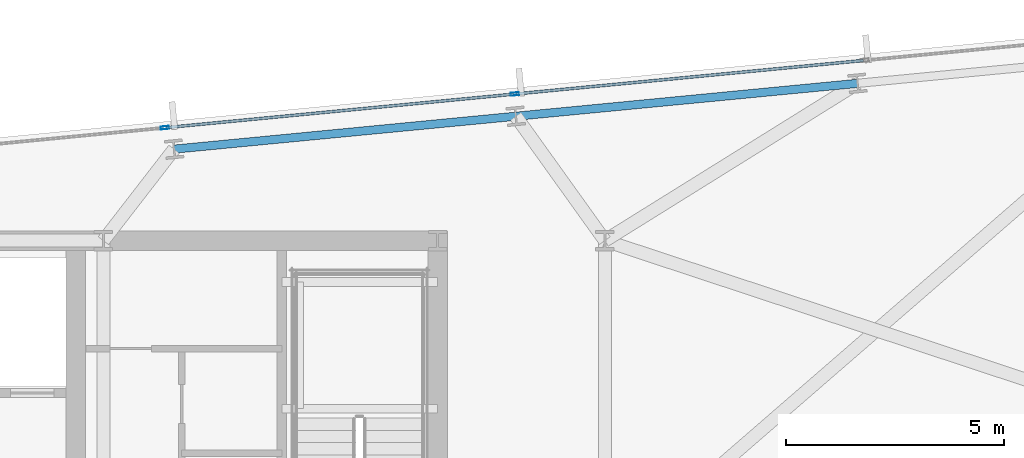
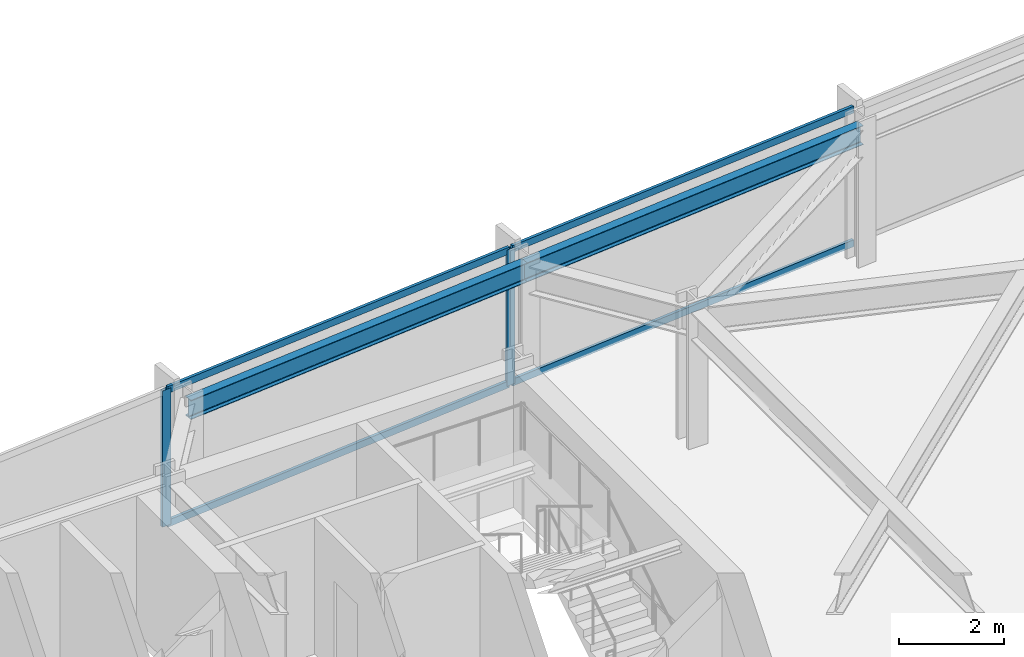
# One storey, part 21 of 33: 6 members, 2 beams, 1 element without a shape of its own.
"""IFC4 building model written with IfcOpenShell, lengths in metres."""

from ifc_helpers import new_model, si_unit, direction, frame, origin, origin_2d, place, context, subcontext, project, spatial, hollow_rectangle, i_section, extrude, material, material_profile, profile_set, type_object, element, aggregate, save


model = new_model("IFC4")

# Units and contexts
model_context = context("Model", 3, precision=1e-05, world=origin(), true_north=direction((0.0, 1.0)))
body_context = subcontext(model_context, "Body", "Model", "MODEL_VIEW")
ifc_project = project(units=[si_unit("LENGTHUNIT", "METRE"), si_unit("AREAUNIT", "SQUARE_METRE"), si_unit("VOLUMEUNIT", "CUBIC_METRE"), si_unit("PLANEANGLEUNIT", "RADIAN"), si_unit("MASSUNIT", "GRAM", prefix="KILO")], contexts=[model_context])

# Site, building, storey
site_placement = place(None, origin())
site = spatial("IfcSite", under=ifc_project, at=site_placement, CompositionType="ELEMENT")
building_placement = place(site_placement, origin())
building = spatial("IfcBuilding", under=site, at=building_placement, Name="Yelkora Congress Tower", CompositionType="ELEMENT")
storey_placement = place(building_placement, frame((0.0, 0.0, 106.699951171875)))
storey = spatial("IfcBuildingStorey", under=building, at=storey_placement, Name="L28", CompositionType="ELEMENT", Elevation=106.699951171875)

# Beams
ifc_material_1 = material(Name="Steel S355J2", Category="steel")
ifc_material_profile_1 = material_profile(ifc_material_1, i_section(OverallWidth=0.18994140625, OverallDepth=0.449951171875, WebThickness=0.009521484375, FlangeThickness=0.0146484375, FilletRadius=0.02099609375, at=origin_2d()), Name="IPE 450")
ifc_profile_set_1 = profile_set([ifc_material_profile_1], Name="Steel S355J2")
beam_type = type_object("IfcBeamType", Name="BM-SPAN-IPE450", PredefinedType="SPANDREL", material=ifc_profile_set_1)
for number, where, z_axis, x_axis, name in (
    (1, (63.4033203125, 49.81201171875, 2.955078125), (-0.995398529126, -0.09582154358, 0.0), (0.09582154358, -0.995398529126, 0.0), "L28 Perimeter Beam 15"),
    (2, (55.553955078125, 49.056396484375, 2.955078125), (-0.995395575667, -0.095852219286, 0.0), (0.095852219286, -0.995395575667, 0.0), "L28 Perimeter Beam 16"),
):
    element("IfcBeam", number, at=place(storey_placement, frame(where, z_axis=z_axis, x_axis=x_axis)), inside=storey, type_object=beam_type, Name=name, PredefinedType="SPANDREL", context=body_context, shape_type="SweptSolid", body=[
        extrude(i_section(OverallWidth=0.18994140625, OverallDepth=0.449951171875, WebThickness=0.009521484375, FlangeThickness=0.0146484375, FilletRadius=0.02099609375, at=origin_2d()), origin(), (0.0, 0.0, 1.0), 7.8857421875),
    ])

# Curtain wall, members
ifc_material_2 = material(Name="Anodised aluminium and insulated glass", Category="aluminium")
curtain_wall_type = type_object("IfcCurtainWallType", Name="CW-SYS-B2", PredefinedType="NOTDEFINED", material=ifc_material_2)
curtain_wall_placement = place(storey_placement, origin())
curtain_wall = element("IfcCurtainWall", 3, at=curtain_wall_placement, inside=storey, type_object=curtain_wall_type, Name="L28 Unitised Curtain Wall 10 (3)", PredefinedType="NOTDEFINED")
ifc_material_3 = material(Name="Anodised aluminium 6063-T6", Category="aluminium")
ifc_material_profile_2 = material_profile(ifc_material_3, hollow_rectangle(XDim=0.070068359375, YDim=0.18994140625, WallThickness=0.00390625, at=origin_2d()), Name="ALU 70x190x4")
ifc_profile_set_2 = profile_set([ifc_material_profile_2], Name="Anodised aluminium 6063-T6")
member_type_1 = type_object("IfcMemberType", Name="MEM-ML-B2", PredefinedType="MULLION", material=ifc_profile_set_2)
member_1_placement = place(storey_placement, frame((47.491943359375, 48.79248046875, 0.0), z_axis=(0.0, 0.0, 1.0), x_axis=(-0.095844238468, 0.995396344153, 0.0)))
member_1 = element("IfcMember", 4, at=member_1_placement, type_object=member_type_1, Name="CW-B2 mullion 4", PredefinedType="MULLION", context=body_context, shape_type="SweptSolid", body=[
    extrude(hollow_rectangle(XDim=0.070068359375, YDim=0.18994140625, WallThickness=0.00390625, at=origin_2d()), origin(), (0.0, 0.0, 1.0), 3.179931640625),
])
member_2_placement = place(storey_placement, frame((55.531982421875, 49.566650390625, 0.0), z_axis=(0.0, 0.0, 1.0), x_axis=(-0.095844238468, 0.995396344153, 0.0)))
member_2 = element("IfcMember", 5, at=member_2_placement, type_object=member_type_1, Name="CW-B2 mullion 5", PredefinedType="MULLION", context=body_context, shape_type="SweptSolid", body=[
    extrude(hollow_rectangle(XDim=0.070068359375, YDim=0.18994140625, WallThickness=0.00390625, at=origin_2d()), origin(), (0.0, 0.0, 1.0), 3.179931640625),
])
ifc_material_profile_3 = material_profile(ifc_material_3, hollow_rectangle(XDim=0.06494140625, YDim=0.159912109375, WallThickness=0.00390625, at=origin_2d()), Name="ALU 65x160x4")
ifc_profile_set_3 = profile_set([ifc_material_profile_3], Name="Anodised aluminium 6063-T6")
member_type_2 = type_object("IfcMemberType", Name="MEM-TR-B2", PredefinedType="USERDEFINED", material=ifc_profile_set_3)
member_3_placement = place(storey_placement, frame((47.52685546875, 48.7958984375, 0.032470703125), z_axis=(0.995397513894, 0.095832089266, 0.0), x_axis=(-0.095832089266, 0.995397513894, 0.0)))
member_3 = element("IfcMember", 6, at=member_3_placement, type_object=member_type_2, Name="CW-B2 transom 4.1", ObjectType="TRANSOM", PredefinedType="USERDEFINED", context=body_context, shape_type="SweptSolid", body=[
    extrude(hollow_rectangle(XDim=0.06494140625, YDim=0.159912109375, WallThickness=0.00390625, at=origin_2d()), origin(), (0.0, 0.0, 1.0), 8.007080078125),
])
member_4_placement = place(storey_placement, frame((47.52685546875, 48.7958984375, 3.1474609375), z_axis=(0.995397513894, 0.095832089266, 0.0), x_axis=(-0.095832089266, 0.995397513894, 0.0)))
member_4 = element("IfcMember", 7, at=member_4_placement, type_object=member_type_2, Name="CW-B2 transom 4.2", ObjectType="TRANSOM", PredefinedType="USERDEFINED", context=body_context, shape_type="SweptSolid", body=[
    extrude(hollow_rectangle(XDim=0.06494140625, YDim=0.159912109375, WallThickness=0.00390625, at=origin_2d()), origin(), (0.0, 0.0, 1.0), 8.007080078125),
])
member_5_placement = place(storey_placement, frame((55.566650390625, 49.570068359375, 0.032470703125), z_axis=(0.995397793901, 0.09582918082, 0.0), x_axis=(-0.09582918082, 0.995397793901, 0.0)))
member_5 = element("IfcMember", 8, at=member_5_placement, type_object=member_type_2, Name="CW-B2 transom 5.1", ObjectType="TRANSOM", PredefinedType="USERDEFINED", context=body_context, shape_type="SweptSolid", body=[
    extrude(hollow_rectangle(XDim=0.06494140625, YDim=0.159912109375, WallThickness=0.00390625, at=origin_2d()), origin(), (0.0, 0.0, 1.0), 8.00732421875),
])
member_6_placement = place(storey_placement, frame((55.566650390625, 49.570068359375, 3.1474609375), z_axis=(0.995397793901, 0.09582918082, 0.0), x_axis=(-0.09582918082, 0.995397793901, 0.0)))
member_6 = element("IfcMember", 9, at=member_6_placement, type_object=member_type_2, Name="CW-B2 transom 5.2", ObjectType="TRANSOM", PredefinedType="USERDEFINED", context=body_context, shape_type="SweptSolid", body=[
    extrude(hollow_rectangle(XDim=0.06494140625, YDim=0.159912109375, WallThickness=0.00390625, at=origin_2d()), origin(), (0.0, 0.0, 1.0), 8.00732421875),
])
aggregate(curtain_wall, [member_1, member_2, member_3, member_4, member_5, member_6])

save(model, "model.ifc")
